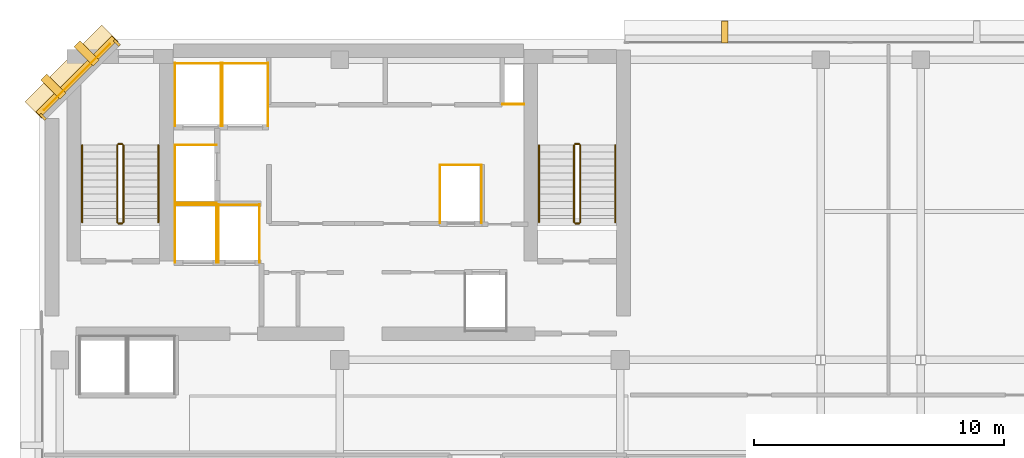
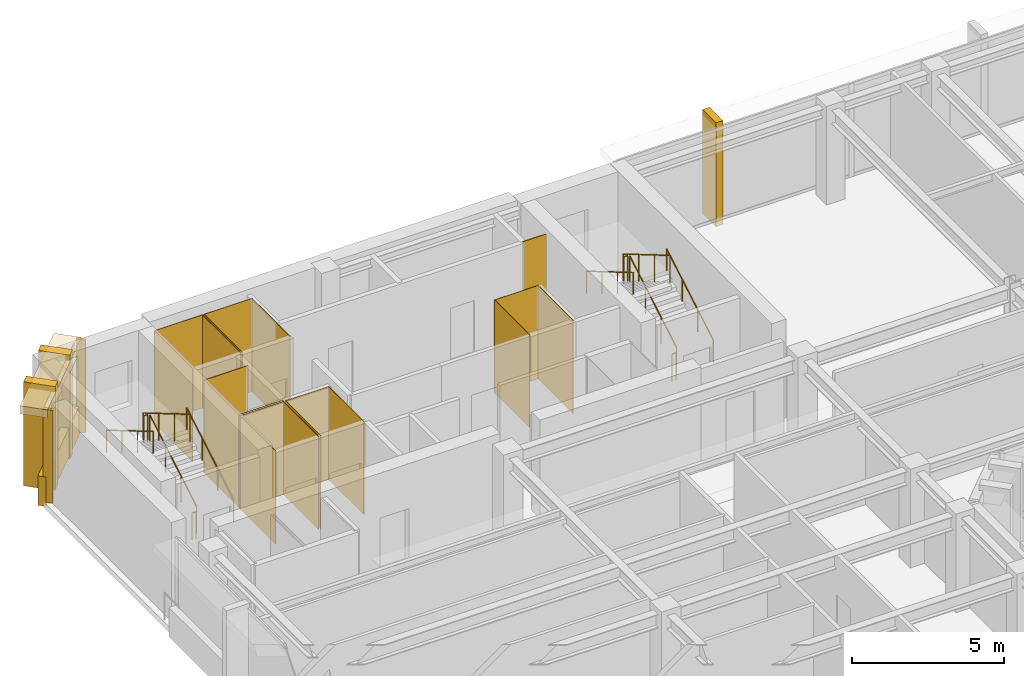
# One storey, part 10 of 11: 27 coverings, 12 railings.
"""IFC4 building model written with IfcOpenShell, lengths in metres."""

from ifc_helpers import new_model, si_unit, direction, frame, origin, origin_2d, place, context, subcontext, project, spatial, polyline, rectangle, circle, outline, extrude, material, layer, layer_set, type_object, element, save


model = new_model("IFC4")

# Units and contexts
model_context = context("Model", 3, precision=1e-05, world=origin(), true_north=direction((0.0, 1.0)))
body_context = subcontext(model_context, "Body", "Model", "MODEL_VIEW")
ifc_project = project(units=[si_unit("LENGTHUNIT", "METRE"), si_unit("AREAUNIT", "SQUARE_METRE"), si_unit("VOLUMEUNIT", "CUBIC_METRE"), si_unit("PLANEANGLEUNIT", "RADIAN"), si_unit("MASSUNIT", "GRAM", prefix="KILO")], contexts=[model_context])

# Site, building, storey
site_placement = place(None, origin())
site = spatial("IfcSite", under=ifc_project, at=site_placement, CompositionType="ELEMENT")
building_placement = place(site_placement, origin())
building = spatial("IfcBuilding", under=site, at=building_placement, Name="Kefirva Bronze Tower", CompositionType="ELEMENT")
storey_placement = place(building_placement, frame((0.0, 0.0, 276.2099609375)))
storey = spatial("IfcBuildingStorey", under=building, at=storey_placement, Name="L67", CompositionType="ELEMENT", Elevation=276.2099609375)

# Coverings
ifc_material_1 = material(Name="Bronze anodised aluminium", Category="aluminium")
ifc_layer_1 = layer(ifc_material_1, 0.02001953125, Name="Bronze anodised aluminium")
ifc_layer_set_1 = layer_set([ifc_layer_1], Name="Bronze anodised aluminium")
covering_type_1 = type_object("IfcCoveringType", Name="Anodised Bronze Spandrel Cladding 20mm", PredefinedType="CLADDING", material=ifc_layer_set_1)
covering_1_placement = place(storey_placement, frame((1.492919921875, 44.507080078125, 3.320068359375), z_axis=(0.0, 0.0, 1.0), x_axis=(-0.707106781187, -0.707106781187, 0.0)))
element("IfcCovering", 1, at=covering_1_placement, inside=storey, type_object=covering_type_1, Name="L67 Bronze Spandrel Cladding 6", PredefinedType="CLADDING", context=body_context, shape_type="SweptSolid", body=[
    extrude(rectangle(XDim=3.719482421875, YDim=0.02001953125, at=origin_2d()), origin(), (0.0, 0.0, 1.0), 0.39990234375),
])
for number, where, z_axis, x_axis, name in (
    (2, (3.08837890625, 45.862060546875, 0.0), (0.0, 0.0, 1.0), (-0.707106781187, -0.707106781187, 0.0), "L67 Facade Joint Closure Panel 6S"),
    (3, (0.137939453125, 42.91162109375, 0.0), (0.0, 0.0, 1.0), (-0.707106781187, -0.707106781187, 0.0), "L67 Facade Joint Closure Panel 6E"),
):
    element("IfcCovering", number, at=place(storey_placement, frame(where, z_axis=z_axis, x_axis=x_axis)), inside=storey, type_object=covering_type_1, Name=name, PredefinedType="CLADDING", context=body_context, shape_type="SweptSolid", body=[
        extrude(rectangle(XDim=0.10009765625, YDim=0.320068359375, at=origin_2d()), origin(), (0.0, 0.0, 1.0), 3.739990234375),
    ])
covering_2_placement = place(storey_placement, frame((1.4716796875, 44.5283203125, -0.16015625), z_axis=(0.0, 0.0, 1.0), x_axis=(-0.707106781187, -0.707106781187, 0.0)))
element("IfcCovering", 4, at=covering_2_placement, inside=storey, type_object=covering_type_1, Name="L67 Streamline Horizontal Spandrel Band 9", PredefinedType="CLADDING", context=body_context, shape_type="SweptSolid", body=[
    extrude(rectangle(XDim=4.28271484375, YDim=0.280029296875, at=origin_2d()), origin(), (0.0, 0.0, 1.0), 1.179931640625),
])
covering_3_placement = place(storey_placement, origin())
element("IfcCovering", 5, at=covering_3_placement, inside=storey, type_object=covering_type_1, Name="L67 Lift FF1 Hoistway Liner N", PredefinedType="CLADDING", context=body_context, shape_type="SweptSolid", body=[
    extrude(outline(polyline([(5.39990234375, 39.389892578125), (7.080078125, 39.389892578125), (7.080078125, 39.409912109375), (5.39990234375, 39.409912109375), (5.39990234375, 39.389892578125)])), origin(), (0.0, 0.0, 1.0), 3.739990234375),
])
covering_4_placement = place(storey_placement, origin())
element("IfcCovering", 6, at=covering_4_placement, inside=storey, type_object=covering_type_1, Name="L67 Lift FF1 Hoistway Liner W", PredefinedType="CLADDING", context=body_context, shape_type="SweptSolid", body=[
    extrude(outline(polyline([(5.409912109375, 37.080078125), (5.429931640625, 37.080078125), (5.429931640625, 39.419921875), (5.409912109375, 39.419921875), (5.409912109375, 37.080078125)])), origin(), (0.0, 0.0, 1.0), 3.739990234375),
])
covering_5_placement = place(storey_placement, origin())
element("IfcCovering", 7, at=covering_5_placement, inside=storey, type_object=covering_type_1, Name="L67 Lift FF1 Hoistway Liner E", PredefinedType="CLADDING", context=body_context, shape_type="SweptSolid", body=[
    extrude(outline(polyline([(7.050048828125, 37.080078125), (7.070068359375, 37.080078125), (7.070068359375, 39.419921875), (7.050048828125, 39.419921875), (7.050048828125, 37.080078125)])), origin(), (0.0, 0.0, 1.0), 3.739990234375),
])
covering_6_placement = place(storey_placement, origin())
element("IfcCovering", 8, at=covering_6_placement, inside=storey, type_object=covering_type_1, Name="L67 Lift FF2 Hoistway Liner N", PredefinedType="CLADDING", context=body_context, shape_type="SweptSolid", body=[
    extrude(outline(polyline([(7.1201171875, 39.389892578125), (8.800048828125, 39.389892578125), (8.800048828125, 39.409912109375), (7.1201171875, 39.409912109375), (7.1201171875, 39.389892578125)])), origin(), (0.0, 0.0, 1.0), 3.739990234375),
])
covering_7_placement = place(storey_placement, origin())
element("IfcCovering", 9, at=covering_7_placement, inside=storey, type_object=covering_type_1, Name="L67 Lift FF2 Hoistway Liner W", PredefinedType="CLADDING", context=body_context, shape_type="SweptSolid", body=[
    extrude(outline(polyline([(7.1298828125, 37.080078125), (7.14990234375, 37.080078125), (7.14990234375, 39.419921875), (7.1298828125, 39.419921875), (7.1298828125, 37.080078125)])), origin(), (0.0, 0.0, 1.0), 3.739990234375),
])
covering_8_placement = place(storey_placement, origin())
element("IfcCovering", 10, at=covering_8_placement, inside=storey, type_object=covering_type_1, Name="L67 Lift FF2 Hoistway Liner E", PredefinedType="CLADDING", context=body_context, shape_type="SweptSolid", body=[
    extrude(outline(polyline([(8.77001953125, 37.080078125), (8.7900390625, 37.080078125), (8.7900390625, 39.419921875), (8.77001953125, 39.419921875), (8.77001953125, 37.080078125)])), origin(), (0.0, 0.0, 1.0), 3.739990234375),
])
covering_9_placement = place(storey_placement, origin())
element("IfcCovering", 11, at=covering_9_placement, inside=storey, type_object=covering_type_1, Name="L67 Lift SV1 Hoistway Liner N", PredefinedType="CLADDING", context=body_context, shape_type="SweptSolid", body=[
    extrude(outline(polyline([(5.39990234375, 45.0400390625), (7.260009765625, 45.0400390625), (7.260009765625, 45.06005859375), (5.39990234375, 45.06005859375), (5.39990234375, 45.0400390625)])), origin(), (0.0, 0.0, 1.0), 3.739990234375),
])
covering_10_placement = place(storey_placement, origin())
element("IfcCovering", 12, at=covering_10_placement, inside=storey, type_object=covering_type_1, Name="L67 Lift SV1 Hoistway Liner W", PredefinedType="CLADDING", context=body_context, shape_type="SweptSolid", body=[
    extrude(outline(polyline([(5.409912109375, 42.530029296875), (5.429931640625, 42.530029296875), (5.429931640625, 45.070068359375), (5.409912109375, 45.070068359375), (5.409912109375, 42.530029296875)])), origin(), (0.0, 0.0, 1.0), 3.739990234375),
])
covering_11_placement = place(storey_placement, origin())
element("IfcCovering", 13, at=covering_11_placement, inside=storey, type_object=covering_type_1, Name="L67 Lift SV1 Hoistway Liner E", PredefinedType="CLADDING", context=body_context, shape_type="SweptSolid", body=[
    extrude(outline(polyline([(7.22998046875, 42.530029296875), (7.25, 42.530029296875), (7.25, 45.070068359375), (7.22998046875, 45.070068359375), (7.22998046875, 42.530029296875)])), origin(), (0.0, 0.0, 1.0), 3.739990234375),
])
covering_12_placement = place(storey_placement, origin())
element("IfcCovering", 14, at=covering_12_placement, inside=storey, type_object=covering_type_1, Name="L67 Lift SV2 Hoistway Liner N", PredefinedType="CLADDING", context=body_context, shape_type="SweptSolid", body=[
    extrude(outline(polyline([(7.280029296875, 45.0400390625), (9.139892578125, 45.0400390625), (9.139892578125, 45.06005859375), (7.280029296875, 45.06005859375), (7.280029296875, 45.0400390625)])), origin(), (0.0, 0.0, 1.0), 3.739990234375),
])
covering_13_placement = place(storey_placement, origin())
element("IfcCovering", 15, at=covering_13_placement, inside=storey, type_object=covering_type_1, Name="L67 Lift SV2 Hoistway Liner W", PredefinedType="CLADDING", context=body_context, shape_type="SweptSolid", body=[
    extrude(outline(polyline([(7.2900390625, 42.530029296875), (7.31005859375, 42.530029296875), (7.31005859375, 45.070068359375), (7.2900390625, 45.070068359375), (7.2900390625, 42.530029296875)])), origin(), (0.0, 0.0, 1.0), 3.739990234375),
])
covering_14_placement = place(storey_placement, origin())
element("IfcCovering", 16, at=covering_14_placement, inside=storey, type_object=covering_type_1, Name="L67 Lift SV2 Hoistway Liner E", PredefinedType="CLADDING", context=body_context, shape_type="SweptSolid", body=[
    extrude(outline(polyline([(9.110107421875, 42.530029296875), (9.1298828125, 42.530029296875), (9.1298828125, 45.070068359375), (9.110107421875, 45.070068359375), (9.110107421875, 42.530029296875)])), origin(), (0.0, 0.0, 1.0), 3.739990234375),
])
covering_15_placement = place(storey_placement, origin())
element("IfcCovering", 17, at=covering_15_placement, inside=storey, type_object=covering_type_1, Name="L67 Lift HP2 Hoistway Liner N", PredefinedType="CLADDING", context=body_context, shape_type="SweptSolid", body=[
    extrude(outline(polyline([(15.97998046875, 40.969970703125), (17.669921875, 40.969970703125), (17.669921875, 40.989990234375), (15.97998046875, 40.989990234375), (15.97998046875, 40.969970703125)])), origin(), (0.0, 0.0, 1.0), 3.739990234375),
])
covering_16_placement = place(storey_placement, origin())
element("IfcCovering", 18, at=covering_16_placement, inside=storey, type_object=covering_type_1, Name="L67 Lift HP2 Hoistway Liner W", PredefinedType="CLADDING", context=body_context, shape_type="SweptSolid", body=[
    extrude(outline(polyline([(15.989990234375, 38.659912109375), (16.010009765625, 38.659912109375), (16.010009765625, 41.0), (15.989990234375, 41.0), (15.989990234375, 38.659912109375)])), origin(), (0.0, 0.0, 1.0), 3.739990234375),
])
covering_17_placement = place(storey_placement, origin())
element("IfcCovering", 19, at=covering_17_placement, inside=storey, type_object=covering_type_1, Name="L67 Lift HP2 Hoistway Liner E", PredefinedType="CLADDING", context=body_context, shape_type="SweptSolid", body=[
    extrude(outline(polyline([(17.639892578125, 38.659912109375), (17.659912109375, 38.659912109375), (17.659912109375, 41.0), (17.639892578125, 41.0), (17.639892578125, 38.659912109375)])), origin(), (0.0, 0.0, 1.0), 3.739990234375),
])
covering_18_placement = place(storey_placement, origin())
element("IfcCovering", 20, at=covering_18_placement, inside=storey, type_object=covering_type_1, Name="L67 Lift HP3 Hoistway Liner N", PredefinedType="CLADDING", context=body_context, shape_type="SweptSolid", body=[
    extrude(outline(polyline([(5.39990234375, 41.77001953125), (7.080078125, 41.77001953125), (7.080078125, 41.7900390625), (5.39990234375, 41.7900390625), (5.39990234375, 41.77001953125)])), origin(), (0.0, 0.0, 1.0), 3.739990234375),
])
covering_19_placement = place(storey_placement, origin())
element("IfcCovering", 21, at=covering_19_placement, inside=storey, type_object=covering_type_1, Name="L67 Lift HP3 Hoistway Liner S", PredefinedType="CLADDING", context=body_context, shape_type="SweptSolid", body=[
    extrude(outline(polyline([(5.39990234375, 39.469970703125), (7.080078125, 39.469970703125), (7.080078125, 39.489990234375), (5.39990234375, 39.489990234375), (5.39990234375, 39.469970703125)])), origin(), (0.0, 0.0, 1.0), 3.739990234375),
])
covering_20_placement = place(storey_placement, origin())
element("IfcCovering", 22, at=covering_20_placement, inside=storey, type_object=covering_type_1, Name="L67 Lift HP3 Hoistway Liner W", PredefinedType="CLADDING", context=body_context, shape_type="SweptSolid", body=[
    extrude(outline(polyline([(5.409912109375, 39.4599609375), (5.429931640625, 39.4599609375), (5.429931640625, 41.800048828125), (5.409912109375, 41.800048828125), (5.409912109375, 39.4599609375)])), origin(), (0.0, 0.0, 1.0), 3.739990234375),
])
covering_21_placement = place(storey_placement, origin())
element("IfcCovering", 23, at=covering_21_placement, inside=storey, type_object=covering_type_1, Name="L67 Core MEP Riser Shaft Liner South", PredefinedType="CLADDING", context=body_context, shape_type="SweptSolid", body=[
    extrude(outline(polyline([(18.47998046875, 43.39990234375), (19.360107421875, 43.39990234375), (19.360107421875, 43.429931640625), (18.47998046875, 43.429931640625), (18.47998046875, 43.39990234375)])), origin(), (0.0, 0.0, 1.0), 3.739990234375),
])

# Railings
ifc_material_2 = material(Name="Stainless steel 316", Category="steel")
railing_type_1 = type_object("IfcRailingType", Name="Interior Stair Guardrail 1100mm", PredefinedType="GUARDRAIL", material=ifc_material_2)
railing_1_placement = place(storey_placement, frame((3.35009765625, 38.699951171875, 0.1650390625)))
element("IfcRailing", 24, at=railing_1_placement, inside=storey, type_object=railing_type_1, Name="L67 ST-1 stair guard 1", PredefinedType="GUARDRAIL", context=body_context, shape_type="SweptSolid", body=[
    extrude(circle(Radius=0.02392578125, at=origin_2d()), frame((0.0, 0.0, 1.076171875), z_axis=(0.0, 0.861551262678, 0.507670583921), x_axis=(-1.0, 0.0, 0.0)), (0.0, 0.0, 1.0), 3.574951171875),
    extrude(circle(Radius=0.02099609375, at=origin_2d()), origin(), (0.0, 0.0, 1.0), 1.052001953125),
    extrude(circle(Radius=0.02099609375, at=origin_2d()), frame((0.0, 1.026611328125, 0.60498046875)), (0.0, 0.0, 1.0), 1.052001953125),
    extrude(circle(Radius=0.02099609375, at=origin_2d()), frame((0.0, 2.053466796875, 1.2099609375)), (0.0, 0.0, 1.0), 1.052001953125),
    extrude(circle(Radius=0.02099609375, at=origin_2d()), frame((0.0, 3.080078125, 1.81494140625)), (0.0, 0.0, 1.0), 1.052001953125),
])
railing_2_placement = place(storey_placement, frame((3.300048828125, 41.830078125, 1.97998046875)))
element("IfcRailing", 25, at=railing_2_placement, inside=storey, type_object=railing_type_1, Name="L67 ST-1 stair guard 2", PredefinedType="GUARDRAIL", context=body_context, shape_type="SweptSolid", body=[
    extrude(circle(Radius=0.02392578125, at=origin_2d()), frame((0.0, 0.0, 1.076171875), z_axis=(-1.0, 0.0, 0.0), x_axis=(0.0, -1.0, 0.0)), (0.0, 0.0, 1.0), 0.150146484375),
    extrude(circle(Radius=0.02099609375, at=origin_2d()), origin(), (0.0, 0.0, 1.0), 1.052001953125),
    extrude(circle(Radius=0.02099609375, at=origin_2d()), frame((-0.150146484375, 0.0, 0.0)), (0.0, 0.0, 1.0), 1.052001953125),
])
railing_3_placement = place(storey_placement, frame((3.10009765625, 41.780029296875, 2.14501953125)))
element("IfcRailing", 26, at=railing_3_placement, inside=storey, type_object=railing_type_1, Name="L67 ST-1 stair guard 3", PredefinedType="GUARDRAIL", context=body_context, shape_type="SweptSolid", body=[
    extrude(circle(Radius=0.02392578125, at=origin_2d()), frame((0.0, 0.0, 1.076171875), z_axis=(0.0, -0.861551262678, 0.507670583921), x_axis=(1.0, 0.0, 0.0)), (0.0, 0.0, 1.0), 3.574951171875),
    extrude(circle(Radius=0.02099609375, at=origin_2d()), origin(), (0.0, 0.0, 1.0), 1.052001953125),
    extrude(circle(Radius=0.02099609375, at=origin_2d()), frame((0.0, -1.026611328125, 0.60498046875)), (0.0, 0.0, 1.0), 1.052001953125),
    extrude(circle(Radius=0.02099609375, at=origin_2d()), frame((0.0, -2.053466796875, 1.2099609375)), (0.0, 0.0, 1.0), 1.052001953125),
    extrude(circle(Radius=0.02099609375, at=origin_2d()), frame((0.0, -3.080078125, 1.81494140625)), (0.0, 0.0, 1.0), 1.052001953125),
])
railing_4_placement = place(storey_placement, frame((3.300048828125, 38.64990234375, 0.0)))
element("IfcRailing", 27, at=railing_4_placement, inside=storey, type_object=railing_type_1, Name="L67 ST-1 stair guard 4", PredefinedType="GUARDRAIL", context=body_context, shape_type="SweptSolid", body=[
    extrude(circle(Radius=0.02392578125, at=origin_2d()), frame((0.0, 0.0, 1.076171875), z_axis=(-1.0, 0.0, 0.0), x_axis=(0.0, -1.0, 0.0)), (0.0, 0.0, 1.0), 0.150146484375),
    extrude(circle(Radius=0.02099609375, at=origin_2d()), origin(), (0.0, 0.0, 1.0), 1.052001953125),
    extrude(circle(Radius=0.02099609375, at=origin_2d()), frame((-0.150146484375, 0.0, 0.0)), (0.0, 0.0, 1.0), 1.052001953125),
])
railing_5_placement = place(storey_placement, frame((21.60009765625, 38.699951171875, 0.1650390625)))
element("IfcRailing", 28, at=railing_5_placement, inside=storey, type_object=railing_type_1, Name="L67 ST-2 stair guard 1", PredefinedType="GUARDRAIL", context=body_context, shape_type="SweptSolid", body=[
    extrude(circle(Radius=0.02392578125, at=origin_2d()), frame((0.0, 0.0, 1.076171875), z_axis=(0.0, 0.861551262678, 0.507670583921), x_axis=(-1.0, 0.0, 0.0)), (0.0, 0.0, 1.0), 3.574951171875),
    extrude(circle(Radius=0.02099609375, at=origin_2d()), origin(), (0.0, 0.0, 1.0), 1.052001953125),
    extrude(circle(Radius=0.02099609375, at=origin_2d()), frame((0.0, 1.026611328125, 0.60498046875)), (0.0, 0.0, 1.0), 1.052001953125),
    extrude(circle(Radius=0.02099609375, at=origin_2d()), frame((0.0, 2.053466796875, 1.2099609375)), (0.0, 0.0, 1.0), 1.052001953125),
    extrude(circle(Radius=0.02099609375, at=origin_2d()), frame((0.0, 3.080078125, 1.81494140625)), (0.0, 0.0, 1.0), 1.052001953125),
])
railing_6_placement = place(storey_placement, frame((21.550048828125, 41.830078125, 1.97998046875)))
element("IfcRailing", 29, at=railing_6_placement, inside=storey, type_object=railing_type_1, Name="L67 ST-2 stair guard 2", PredefinedType="GUARDRAIL", context=body_context, shape_type="SweptSolid", body=[
    extrude(circle(Radius=0.02392578125, at=origin_2d()), frame((0.0, 0.0, 1.076171875), z_axis=(-1.0, 0.0, 0.0), x_axis=(0.0, -1.0, 0.0)), (0.0, 0.0, 1.0), 0.150146484375),
    extrude(circle(Radius=0.02099609375, at=origin_2d()), origin(), (0.0, 0.0, 1.0), 1.052001953125),
    extrude(circle(Radius=0.02099609375, at=origin_2d()), frame((-0.150146484375, 0.0, 0.0)), (0.0, 0.0, 1.0), 1.052001953125),
])
railing_7_placement = place(storey_placement, frame((21.35009765625, 41.780029296875, 2.14501953125)))
element("IfcRailing", 30, at=railing_7_placement, inside=storey, type_object=railing_type_1, Name="L67 ST-2 stair guard 3", PredefinedType="GUARDRAIL", context=body_context, shape_type="SweptSolid", body=[
    extrude(circle(Radius=0.02392578125, at=origin_2d()), frame((0.0, 0.0, 1.076171875), z_axis=(0.0, -0.861551262678, 0.507670583921), x_axis=(1.0, 0.0, 0.0)), (0.0, 0.0, 1.0), 3.574951171875),
    extrude(circle(Radius=0.02099609375, at=origin_2d()), origin(), (0.0, 0.0, 1.0), 1.052001953125),
    extrude(circle(Radius=0.02099609375, at=origin_2d()), frame((0.0, -1.026611328125, 0.60498046875)), (0.0, 0.0, 1.0), 1.052001953125),
    extrude(circle(Radius=0.02099609375, at=origin_2d()), frame((0.0, -2.053466796875, 1.2099609375)), (0.0, 0.0, 1.0), 1.052001953125),
    extrude(circle(Radius=0.02099609375, at=origin_2d()), frame((0.0, -3.080078125, 1.81494140625)), (0.0, 0.0, 1.0), 1.052001953125),
])
railing_8_placement = place(storey_placement, frame((21.550048828125, 38.64990234375, 0.0)))
element("IfcRailing", 31, at=railing_8_placement, inside=storey, type_object=railing_type_1, Name="L67 ST-2 stair guard 4", PredefinedType="GUARDRAIL", context=body_context, shape_type="SweptSolid", body=[
    extrude(circle(Radius=0.02392578125, at=origin_2d()), frame((0.0, 0.0, 1.076171875), z_axis=(-1.0, 0.0, 0.0), x_axis=(0.0, -1.0, 0.0)), (0.0, 0.0, 1.0), 0.150146484375),
    extrude(circle(Radius=0.02099609375, at=origin_2d()), origin(), (0.0, 0.0, 1.0), 1.052001953125),
    extrude(circle(Radius=0.02099609375, at=origin_2d()), frame((-0.150146484375, 0.0, 0.0)), (0.0, 0.0, 1.0), 1.052001953125),
])
railing_type_2 = type_object("IfcRailingType", Name="Stair Pitch Handrail 900mm", PredefinedType="HANDRAIL", material=ifc_material_2)
railing_9_placement = place(storey_placement, frame((4.75, 38.699951171875, 0.1650390625)))
element("IfcRailing", 32, at=railing_9_placement, inside=storey, type_object=railing_type_2, Name="L67 ST-1 stair handrail 1", PredefinedType="HANDRAIL", context=body_context, shape_type="SweptSolid", body=[
    extrude(circle(Radius=0.02392578125, at=origin_2d()), frame((0.0, 0.0, 0.8759765625), z_axis=(0.0, 0.861551262678, 0.507670583921), x_axis=(-1.0, 0.0, 0.0)), (0.0, 0.0, 1.0), 3.574951171875),
    extrude(circle(Radius=0.02099609375, at=origin_2d()), origin(), (0.0, 0.0, 1.0), 0.851806640625),
    extrude(circle(Radius=0.02099609375, at=origin_2d()), frame((0.0, 1.026611328125, 0.60498046875)), (0.0, 0.0, 1.0), 0.851806640625),
    extrude(circle(Radius=0.02099609375, at=origin_2d()), frame((0.0, 2.053466796875, 1.2099609375)), (0.0, 0.0, 1.0), 0.851806640625),
    extrude(circle(Radius=0.02099609375, at=origin_2d()), frame((0.0, 3.080078125, 1.81494140625)), (0.0, 0.0, 1.0), 0.851806640625),
])
railing_10_placement = place(storey_placement, frame((1.699951171875, 41.780029296875, 2.14501953125)))
element("IfcRailing", 33, at=railing_10_placement, inside=storey, type_object=railing_type_2, Name="L67 ST-1 stair handrail 2", PredefinedType="HANDRAIL", context=body_context, shape_type="SweptSolid", body=[
    extrude(circle(Radius=0.02392578125, at=origin_2d()), frame((0.0, 0.0, 0.8759765625), z_axis=(0.0, -0.861551262678, 0.507670583921), x_axis=(1.0, 0.0, 0.0)), (0.0, 0.0, 1.0), 3.574951171875),
    extrude(circle(Radius=0.02099609375, at=origin_2d()), origin(), (0.0, 0.0, 1.0), 0.851806640625),
    extrude(circle(Radius=0.02099609375, at=origin_2d()), frame((0.0, -1.026611328125, 0.60498046875)), (0.0, 0.0, 1.0), 0.851806640625),
    extrude(circle(Radius=0.02099609375, at=origin_2d()), frame((0.0, -2.053466796875, 1.2099609375)), (0.0, 0.0, 1.0), 0.851806640625),
    extrude(circle(Radius=0.02099609375, at=origin_2d()), frame((0.0, -3.080078125, 1.81494140625)), (0.0, 0.0, 1.0), 0.851806640625),
])
railing_11_placement = place(storey_placement, frame((23.0, 38.699951171875, 0.1650390625)))
element("IfcRailing", 34, at=railing_11_placement, inside=storey, type_object=railing_type_2, Name="L67 ST-2 stair handrail 1", PredefinedType="HANDRAIL", context=body_context, shape_type="SweptSolid", body=[
    extrude(circle(Radius=0.02392578125, at=origin_2d()), frame((0.0, 0.0, 0.8759765625), z_axis=(0.0, 0.861551262678, 0.507670583921), x_axis=(-1.0, 0.0, 0.0)), (0.0, 0.0, 1.0), 3.574951171875),
    extrude(circle(Radius=0.02099609375, at=origin_2d()), origin(), (0.0, 0.0, 1.0), 0.851806640625),
    extrude(circle(Radius=0.02099609375, at=origin_2d()), frame((0.0, 1.026611328125, 0.60498046875)), (0.0, 0.0, 1.0), 0.851806640625),
    extrude(circle(Radius=0.02099609375, at=origin_2d()), frame((0.0, 2.053466796875, 1.2099609375)), (0.0, 0.0, 1.0), 0.851806640625),
    extrude(circle(Radius=0.02099609375, at=origin_2d()), frame((0.0, 3.080078125, 1.81494140625)), (0.0, 0.0, 1.0), 0.851806640625),
])
railing_12_placement = place(storey_placement, frame((19.949951171875, 41.780029296875, 2.14501953125)))
element("IfcRailing", 35, at=railing_12_placement, inside=storey, type_object=railing_type_2, Name="L67 ST-2 stair handrail 2", PredefinedType="HANDRAIL", context=body_context, shape_type="SweptSolid", body=[
    extrude(circle(Radius=0.02392578125, at=origin_2d()), frame((0.0, 0.0, 0.8759765625), z_axis=(0.0, -0.861551262678, 0.507670583921), x_axis=(1.0, 0.0, 0.0)), (0.0, 0.0, 1.0), 3.574951171875),
    extrude(circle(Radius=0.02099609375, at=origin_2d()), origin(), (0.0, 0.0, 1.0), 0.851806640625),
    extrude(circle(Radius=0.02099609375, at=origin_2d()), frame((0.0, -1.026611328125, 0.60498046875)), (0.0, 0.0, 1.0), 0.851806640625),
    extrude(circle(Radius=0.02099609375, at=origin_2d()), frame((0.0, -2.053466796875, 1.2099609375)), (0.0, 0.0, 1.0), 0.851806640625),
    extrude(circle(Radius=0.02099609375, at=origin_2d()), frame((0.0, -3.080078125, 1.81494140625)), (0.0, 0.0, 1.0), 0.851806640625),
])

# Coverings
ifc_layer_2 = layer(ifc_material_1, 0.179931640625, Name="Bronze anodised aluminium")
ifc_layer_set_2 = layer_set([ifc_layer_2], Name="Bronze anodised aluminium")
covering_type_2 = type_object("IfcCoveringType", Name="Streamline Bronze Sunshade Eyebrow Cladding 180mm", PredefinedType="CLADDING", material=ifc_layer_set_2)
covering_22_placement = place(storey_placement, frame((1.28076171875, 44.71923828125, 3.419921875), z_axis=(0.0, 0.0, 1.0), x_axis=(-0.707106781187, -0.707106781187, 0.0)))
element("IfcCovering", 36, at=covering_22_placement, inside=storey, type_object=covering_type_2, Name="L67 Streamline Bronze Sunshade Eyebrow 9", PredefinedType="CLADDING", context=body_context, shape_type="SweptSolid", body=[
    extrude(rectangle(XDim=4.322509765625, YDim=0.93994140625, at=origin_2d()), origin(), (0.0, 0.0, 1.0), 0.320068359375),
])
ifc_layer_3 = layer(ifc_material_1, 0.260009765625, Name="Bronze anodised aluminium")
ifc_layer_set_3 = layer_set([ifc_layer_3], Name="Bronze anodised aluminium")
covering_type_3 = type_object("IfcCoveringType", Name="Unbroken Bronze Buttress Fin Cladding 260mm", PredefinedType="CLADDING", material=ifc_layer_set_3)
covering_23_placement = place(storey_placement, frame((27.364013671875, 46.300048828125, -0.2197265625), z_axis=(0.0, 0.0, 1.0), x_axis=(-1.0, 0.0, 0.0)))
element("IfcCovering", 37, at=covering_23_placement, inside=storey, type_object=covering_type_3, Name="L67 Unbroken Vertical Bronze Rib Fin 18", PredefinedType="CLADDING", context=body_context, shape_type="SweptSolid", body=[
    extrude(rectangle(XDim=0.260009765625, YDim=0.8798828125, at=origin_2d()), origin(), (0.0, 0.0, 1.0), 4.179931640625),
])
for number, where, z_axis, x_axis, name in (
    (38, (1.877197265625, 45.44287109375, -0.2197265625), (0.0, 0.0, 1.0), (-0.707106781187, -0.707106781187, 0.0), "L67 Chamfered Corner Buttress Fin Cladding 19"),
    (39, (0.55712890625, 44.122802734375, -0.2197265625), (0.0, 0.0, 1.0), (-0.707106781187, -0.707106781187, 0.0), "L67 Chamfered Corner Buttress Fin Cladding 20"),
):
    element("IfcCovering", number, at=place(storey_placement, frame(where, z_axis=z_axis, x_axis=x_axis)), inside=storey, type_object=covering_type_3, Name=name, PredefinedType="CLADDING", context=body_context, shape_type="SweptSolid", body=[
        extrude(rectangle(XDim=0.340087890625, YDim=1.080078125, at=origin_2d()), origin(), (0.0, 0.0, 1.0), 4.179931640625),
    ])

save(model, "model.ifc")
